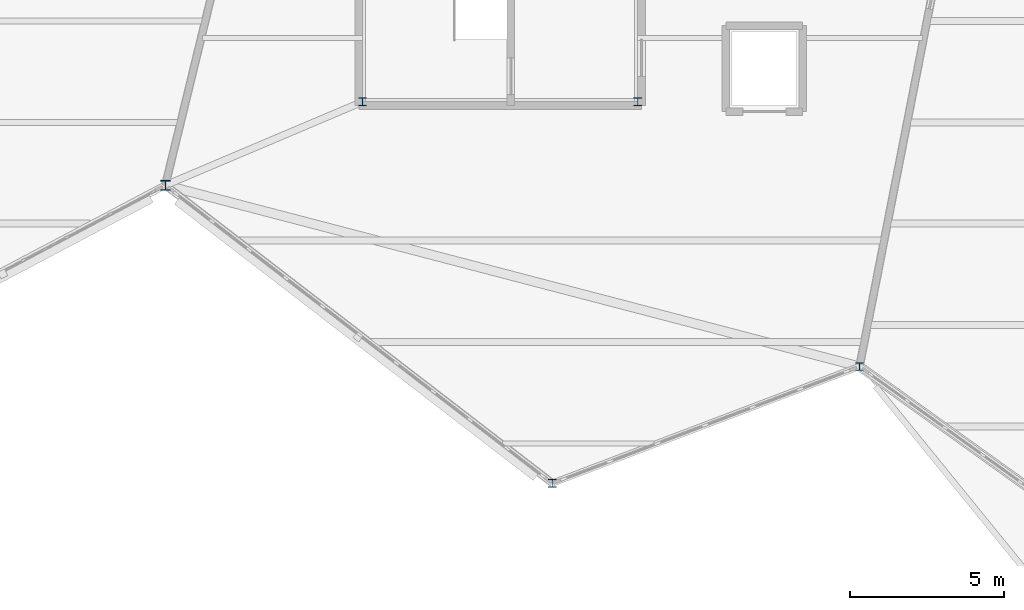
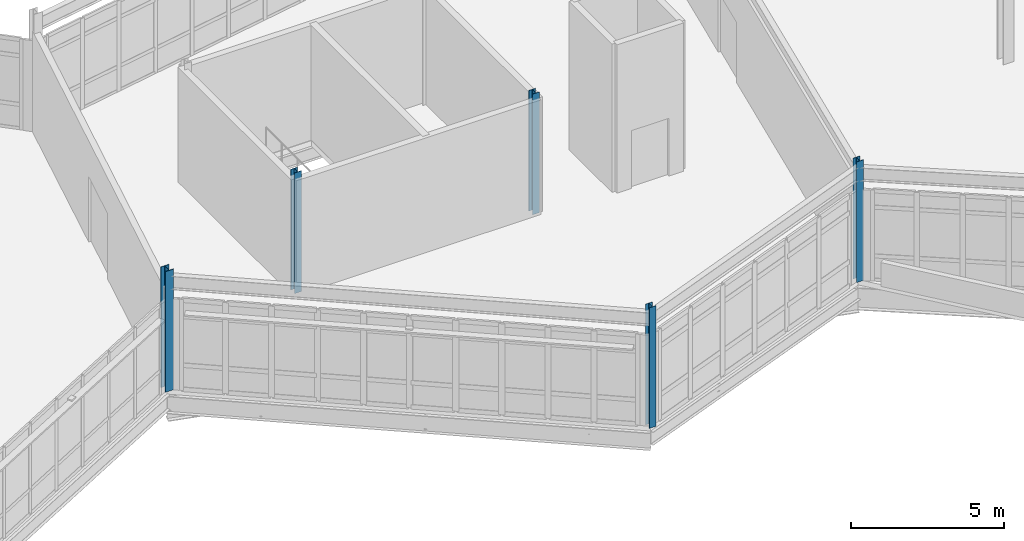
# One storey, part 3 of 76: 5 columns.
"""IFC4 building model written with IfcOpenShell, lengths in metres."""

from ifc_helpers import new_model, si_unit, direction, frame, origin, origin_2d, place, context, subcontext, project, spatial, i_section, extrude, material, material_profile, profile_set, type_object, element, save


model = new_model("IFC4")

# Units and contexts
model_context = context("Model", 3, precision=1e-05, world=origin(), true_north=direction((0.0, 1.0)))
body_context = subcontext(model_context, "Body", "Model", "MODEL_VIEW")
ifc_project = project(units=[si_unit("LENGTHUNIT", "METRE"), si_unit("AREAUNIT", "SQUARE_METRE"), si_unit("VOLUMEUNIT", "CUBIC_METRE"), si_unit("PLANEANGLEUNIT", "RADIAN"), si_unit("MASSUNIT", "GRAM", prefix="KILO")], contexts=[model_context])

# Site, building, storey
site_placement = place(None, origin())
site = spatial("IfcSite", under=ifc_project, at=site_placement, CompositionType="ELEMENT")
building_placement = place(site_placement, origin())
building = spatial("IfcBuilding", under=site, at=building_placement, Name="Tameran Prism Museum", CompositionType="ELEMENT")
storey_placement = place(building_placement, frame((0.0, 0.0, 15.0)))
storey = spatial("IfcBuildingStorey", under=building, at=storey_placement, Name="L03", CompositionType="ELEMENT", Elevation=15.0)

# Columns
ifc_material_1 = material(Name="Steel Grade 300PLUS (300 MPa)", Category="steel")
ifc_material_profile_1 = material_profile(ifc_material_1, i_section(OverallWidth=0.25390625, OverallDepth=0.25390625, WebThickness=0.008544921875, FlangeThickness=0.01416015625, FilletRadius=0.0126953125, at=origin_2d()))
ifc_profile_set_1 = profile_set([ifc_material_profile_1])
column_type_1 = type_object("IfcColumnType", Name="COL-UC250B", PredefinedType="COLUMN", material=ifc_profile_set_1)
for number, where, z_axis, x_axis, name in (
    (1, (110.699951171875, 18.5, 0.0), (0.0, 0.0, 1.0), (1.0, 0.0, 0.0), "Column CV-44 L03"),
    (2, (120.699951171875, 22.300048828125, 0.0), (0.0, 0.0, 1.0), (1.0, 0.0, 0.0), "Column CV-48 L03"),
    (3, (104.52001953125, 30.919921875, 0.0), (0.0, 0.0, 1.0), (1.0, 0.0, 0.0), "Column CC-4-1 L03"),
    (4, (113.47998046875, 30.919921875, 0.0), (0.0, 0.0, 1.0), (1.0, 0.0, 0.0), "Column CC-4-2 L03"),
):
    element("IfcColumn", number, at=place(storey_placement, frame(where, z_axis=z_axis, x_axis=x_axis)), inside=storey, type_object=column_type_1, Name=name, PredefinedType="COLUMN", context=body_context, shape_type="SweptSolid", body=[
        extrude(i_section(OverallWidth=0.25390625, OverallDepth=0.25390625, WebThickness=0.008544921875, FlangeThickness=0.01416015625, FilletRadius=0.0126953125, at=origin_2d()), origin(), (0.0, 0.0, 1.0), 4.800048828125),
    ])
ifc_material_2 = material(Name="Steel Grade 350 (350 MPa)", Category="steel")
ifc_material_profile_2 = material_profile(ifc_material_2, i_section(OverallWidth=0.30908203125, OverallDepth=0.321044921875, WebThickness=0.013916015625, FlangeThickness=0.021728515625, FilletRadius=0.0166015625, at=origin_2d()))
ifc_profile_set_2 = profile_set([ifc_material_profile_2])
column_type_2 = type_object("IfcColumnType", Name="COL-UC310B", PredefinedType="COLUMN", material=ifc_profile_set_2)
column_placement = place(storey_placement, frame((98.10009765625, 28.199951171875, 0.0), z_axis=(0.0, 0.0, 1.0), x_axis=(1.0, 0.0, 0.0)))
element("IfcColumn", 5, at=column_placement, inside=storey, type_object=column_type_2, Name="Column CV-39 L03", PredefinedType="COLUMN", context=body_context, shape_type="SweptSolid", body=[
    extrude(i_section(OverallWidth=0.30908203125, OverallDepth=0.321044921875, WebThickness=0.013916015625, FlangeThickness=0.021728515625, FilletRadius=0.0166015625, at=origin_2d()), origin(), (0.0, 0.0, 1.0), 4.800048828125),
])

save(model, "model.ifc")
